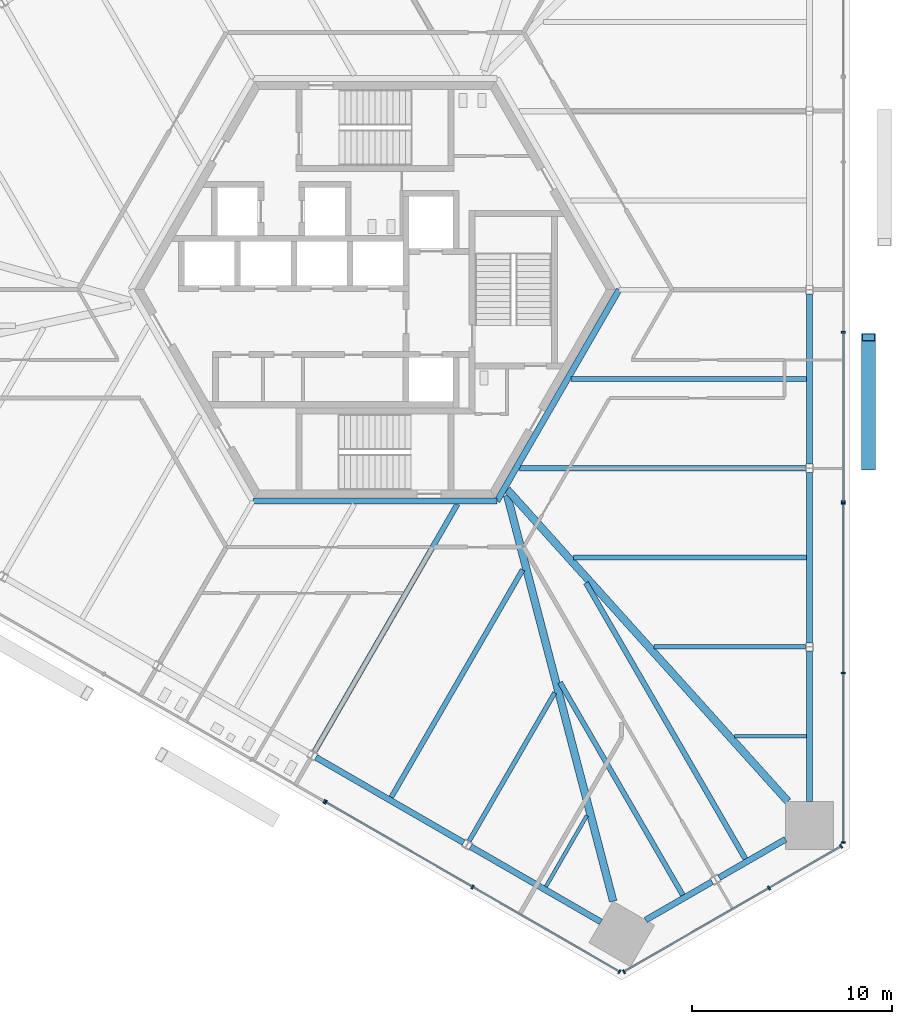
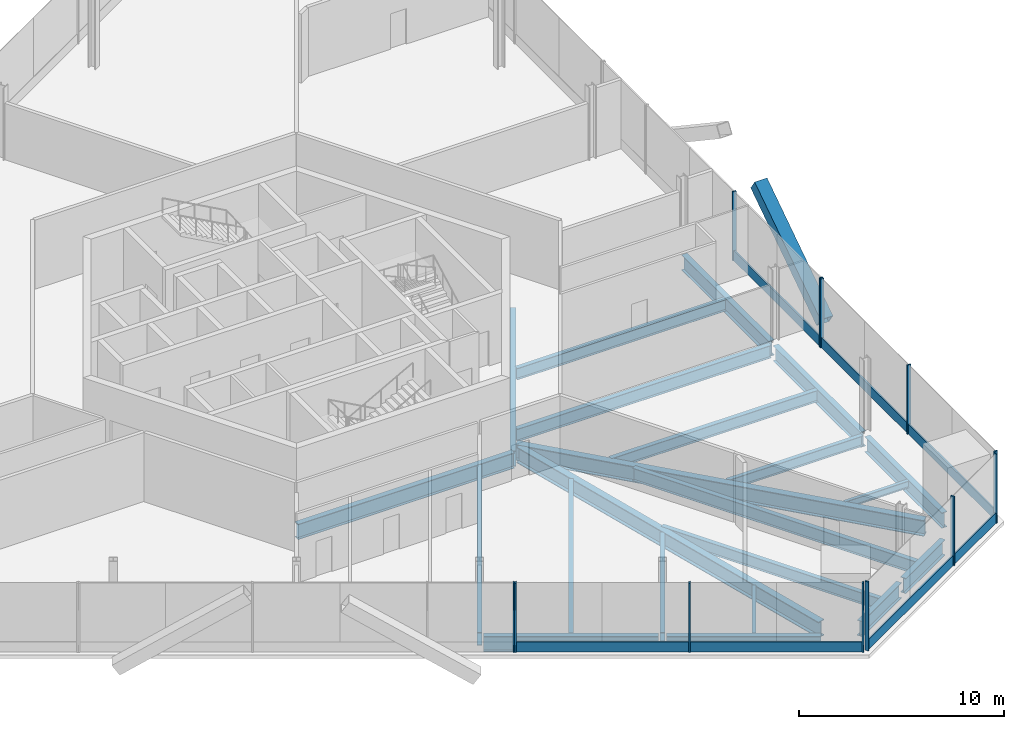
# One storey, part 4 of 15: 22 beams, 20 members, 5 elements without a shape of their own.
"""IFC4 building model written with IfcOpenShell, lengths in metres."""

import ifcopenshell
import ifcopenshell.guid

model = None  # the IFC model being written
_history = None  # IfcOwnerHistory: only IFC2X3 demands one
_inside = {}  # id of a spatial element -> (the spatial element, [elements in it])
_under = {}  # id of a project, library or spatial element -> (it, [spatial elements below it])
_declared = {}  # id of a project -> (the project, [libraries it declares])
_typed = {}  # id of a type object -> (the type object, [elements of that type])
_made_of = {}  # id of a material, layer set ... -> (it, [elements and type objects made of it])


def new_model(schema):
    """Start an empty IFC model of exactly this schema.

    Asked for "IFC4X3", IfcOpenShell would pick the latest addendum, in which some entities
    have other attributes; the version numbers below select the first issue.
    IFC2X3 requires an IfcOwnerHistory on every rooted entity: one is made here for all.
    """
    global model, _history
    if schema == "IFC4X3":
        model = ifcopenshell.file(schema_version=(4, 3, 0, 0))
    else:
        model = ifcopenshell.file(schema=schema)
    _inside.clear()
    _under.clear()
    _declared.clear()
    _typed.clear()
    _made_of.clear()
    _history = None
    if model.schema == "IFC2X3":
        org = make("IfcOrganization", Name="unknown")
        user = make(
            "IfcPersonAndOrganization",
            ThePerson=make("IfcPerson", FamilyName="unknown"),
            TheOrganization=org,
        )
        app = make(
            "IfcApplication",
            ApplicationDeveloper=org,
            Version="unknown",
            ApplicationFullName="unknown",
            ApplicationIdentifier="unknown",
        )
        _history = make(
            "IfcOwnerHistory",
            OwningUser=user,
            OwningApplication=app,
            ChangeAction="ADDED",
            CreationDate=0,
        )
    return model


def make(cls, **values):
    """One entity of the class cls with the attributes given. An attribute that is None is left unset."""
    return model.create_entity(
        cls, **{name: value for name, value in values.items() if value is not None}
    )


def rooted(cls, **values):
    """An entity with a GlobalId (a new one), such as an element, a storey or a relation."""
    return make(cls, GlobalId=ifcopenshell.guid.new(), OwnerHistory=_history, **values)


def si_unit(unit_type, name, prefix=None):
    """IfcSIUnit, for example si_unit("LENGTHUNIT", "METRE", prefix="MILLI")."""
    return make("IfcSIUnit", UnitType=unit_type, Prefix=prefix, Name=name)


def assignment(units):
    """IfcUnitAssignment: the units of a project."""
    return None if units is None else make("IfcUnitAssignment", Units=units)


def point(xyz):
    """IfcCartesianPoint."""
    return None if xyz is None else make("IfcCartesianPoint", Coordinates=xyz)


def direction(xyz):
    """IfcDirection."""
    return None if xyz is None else make("IfcDirection", DirectionRatios=xyz)


def frame(location, z_axis=None, x_axis=None):
    """IfcAxis2Placement3D, a coordinate frame: its origin and axes. An axis left out is left unset."""
    return make(
        "IfcAxis2Placement3D",
        Location=point(location),
        Axis=direction(z_axis),
        RefDirection=direction(x_axis),
    )


def frame_2d(location, x_axis=None):
    """IfcAxis2Placement2D, a coordinate frame in the plane: its origin and x axis."""
    return make(
        "IfcAxis2Placement2D", Location=point(location), RefDirection=direction(x_axis)
    )


def origin():
    """The frame at (0, 0, 0) with its axes left unset."""
    return frame((0.0, 0.0, 0.0))


def origin_2d():
    """The frame at (0, 0) in the plane with its x axis left unset."""
    return frame_2d((0.0, 0.0))


def place(relative_to, where):
    """IfcLocalPlacement: puts the frame where relative to a parent placement (None: the world)."""
    return make(
        "IfcLocalPlacement", PlacementRelTo=relative_to, RelativePlacement=where
    )


def context(
    kind, dimensions, precision=None, world=None, true_north=None, identifier=None
):
    """IfcGeometricRepresentationContext, for example the 3D "Model" context."""
    return make(
        "IfcGeometricRepresentationContext",
        ContextIdentifier=identifier,
        ContextType=kind,
        CoordinateSpaceDimension=dimensions,
        Precision=precision,
        WorldCoordinateSystem=world,
        TrueNorth=true_north,
    )


def subcontext(parent, identifier, kind, view, scale=None):
    """IfcGeometricRepresentationSubContext, for example "Body" below "Model"."""
    return make(
        "IfcGeometricRepresentationSubContext",
        ContextIdentifier=identifier,
        ContextType=kind,
        ParentContext=parent,
        TargetScale=scale,
        TargetView=view,
    )


def project(units=None, contexts=None):
    """IfcProject with its units and contexts."""
    return rooted(
        "IfcProject",
        Name="project",
        RepresentationContexts=contexts,
        UnitsInContext=assignment(units),
    )


def spatial(cls, under=None, at=None, **own):
    """A site, building, storey or space (cls), placed at a placement, below another one or the project."""
    s = rooted(cls, ObjectPlacement=at, **own)
    if under is not None:
        _under.setdefault(under.id(), (under, []))[1].append(s)
    return s


def profile(cls, at=None, kind="AREA", **sizes):
    """A parametric profile (cls). Its sizes go by their IFC names, for example OverallWidth=200.0."""
    return make(cls, ProfileType=kind, Position=at, **sizes)


def rectangle(**sizes):
    """IfcRectangleProfileDef."""
    return profile("IfcRectangleProfileDef", **sizes)


def hollow_rectangle(**sizes):
    """IfcRectangleHollowProfileDef."""
    return profile("IfcRectangleHollowProfileDef", **sizes)


def i_section(**sizes):
    """IfcIShapeProfileDef."""
    return profile("IfcIShapeProfileDef", **sizes)


def extrude(swept, where, along, depth):
    """IfcExtrudedAreaSolid: the profile swept, set in the frame where, extruded along a direction by depth."""
    return make(
        "IfcExtrudedAreaSolid",
        SweptArea=swept,
        Position=where,
        ExtrudedDirection=direction(along),
        Depth=depth,
    )


def shape(context_of_items, identifier, shape_type, items):
    """IfcShapeRepresentation: the items that make up one representation, for example the "Body"."""
    return make(
        "IfcShapeRepresentation",
        ContextOfItems=context_of_items,
        RepresentationIdentifier=identifier,
        RepresentationType=shape_type,
        Items=items,
    )


def source(mapping_origin, context_of_items, identifier, shape_type, items):
    """IfcRepresentationMap: a shape defined once, which mapped items show again and again."""
    return make(
        "IfcRepresentationMap",
        MappingOrigin=mapping_origin,
        MappedRepresentation=shape(context_of_items, identifier, shape_type, items),
    )


def transform(
    local_origin,
    x_axis=None,
    y_axis=None,
    z_axis=None,
    scale=None,
    scale2=None,
    scale3=None,
    uniform=True,
):
    """IfcCartesianTransformationOperator3D, or its non-uniform kind. x_axis, y_axis, z_axis: its Axis1, 2, 3."""
    if uniform:
        return make(
            "IfcCartesianTransformationOperator3D",
            Axis1=direction(x_axis),
            Axis2=direction(y_axis),
            LocalOrigin=point(local_origin),
            Scale=scale,
            Axis3=direction(z_axis),
        )
    return make(
        "IfcCartesianTransformationOperator3DnonUniform",
        Axis1=direction(x_axis),
        Axis2=direction(y_axis),
        LocalOrigin=point(local_origin),
        Scale=scale,
        Axis3=direction(z_axis),
        Scale2=scale2,
        Scale3=scale3,
    )


def mapped(mapping_source, mapping_target):
    """IfcMappedItem: shows the shape of a source again, moved by a transform."""
    return make(
        "IfcMappedItem", MappingSource=mapping_source, MappingTarget=mapping_target
    )


def material(Name=None, Category=None):
    """IfcMaterial."""
    return make("IfcMaterial", Name=Name, Category=Category)


def material_profile(
    of_material, cross_section, Name=None, Category=None, Priority=None
):
    """IfcMaterialProfile: a cross section and its material."""
    return make(
        "IfcMaterialProfile",
        Name=Name,
        Material=of_material,
        Profile=cross_section,
        Priority=Priority,
        Category=Category,
    )


def profile_set(profiles, Name=None, composite=None):
    """IfcMaterialProfileSet."""
    return make(
        "IfcMaterialProfileSet",
        Name=Name,
        MaterialProfiles=profiles,
        CompositeProfile=composite,
    )


def made_of(thing, what):
    """Note that an element or type object is made of a material, layer set ...; save() writes the relation."""
    if what is not None:
        _made_of.setdefault(what.id(), (what, []))[1].append(thing)
    return thing


def type_object(cls, material=None, **own):
    """A type object (cls), such as IfcWallType, which elements share."""
    return made_of(rooted(cls, **own), material)


def element(
    cls,
    number,
    at=None,
    inside=None,
    cuts=None,
    type_object=None,
    material=None,
    context=None,
    identifier="Body",
    shape_type=None,
    held_by="IfcProductDefinitionShape",
    body=None,
    shapes=None,
    **own,
):
    """One element of the class cls, such as IfcWall. Its Tag is "e" and its number.

    at: its placement. inside: the storey or other place that contains it. cuts: it is an
    opening in that element (IfcRelVoidsElement). A single representation is given by context,
    identifier, shape_type and body (its items); several are given by shapes. held_by: the class
    of the entity that holds the representations. save() writes the other relations.
    """
    e = rooted(cls, Tag="e%d" % number, ObjectPlacement=at, **own)
    if body is not None:
        shapes = [shape(context, identifier, shape_type, body)]
    if shapes is not None:
        e.Representation = make(held_by, Representations=shapes)
    if inside is not None:
        _inside.setdefault(inside.id(), (inside, []))[1].append(e)
    if cuts is not None:
        rooted(
            "IfcRelVoidsElement", RelatingBuildingElement=cuts, RelatedOpeningElement=e
        )
    if type_object is not None:
        _typed.setdefault(type_object.id(), (type_object, []))[1].append(e)
    return made_of(e, material)


def aggregate(whole, parts):
    """IfcRelAggregates: a whole, such as a stair, and the parts it consists of."""
    return rooted("IfcRelAggregates", RelatingObject=whole, RelatedObjects=parts)


def save(model, path):
    """Write the relations noted so far, then the file.

    IfcRelAggregates (storeys below a building ...), IfcRelContainedInSpatialStructure (elements
    in a storey), IfcRelDefinesByType, IfcRelAssociatesMaterial and IfcRelDeclares: one each for
    every whole, place, type object, material and project.
    """
    for whole, parts in _under.values():
        aggregate(whole, parts)
    for where, things in _inside.values():
        rooted(
            "IfcRelContainedInSpatialStructure",
            RelatedElements=things,
            RelatingStructure=where,
        )
    for kind, things in _typed.values():
        rooted("IfcRelDefinesByType", RelatedObjects=things, RelatingType=kind)
    for what, things in _made_of.values():
        rooted("IfcRelAssociatesMaterial", RelatedObjects=things, RelatingMaterial=what)
    for by, libraries in _declared.values():
        rooted("IfcRelDeclares", RelatingContext=by, RelatedDefinitions=libraries)
    model.write(path)


model = new_model("IFC4")

# Units and contexts
model_context = context("Model", 3, precision=1e-05, world=origin(), true_north=direction((0.0, 1.0)))
body_context = subcontext(model_context, "Body", "Model", "MODEL_VIEW")
ifc_project = project(units=[si_unit("LENGTHUNIT", "METRE"), si_unit("AREAUNIT", "SQUARE_METRE"), si_unit("VOLUMEUNIT", "CUBIC_METRE"), si_unit("PLANEANGLEUNIT", "RADIAN"), si_unit("MASSUNIT", "GRAM", prefix="KILO")], contexts=[model_context])

# Site, building, storey
site_placement = place(None, origin())
site = spatial("IfcSite", under=ifc_project, at=site_placement, CompositionType="ELEMENT")
building_placement = place(site_placement, origin())
building = spatial("IfcBuilding", under=site, at=building_placement, Name="Triune Harvest Tower", CompositionType="ELEMENT")
storey_placement = place(building_placement, frame((0.0, 0.0, 28.89990234375)))
storey = spatial("IfcBuildingStorey", under=building, at=storey_placement, Name="L06", CompositionType="ELEMENT", Elevation=28.89990234375)

# Beams
ifc_material_1 = material(Name="Steel ASTM A992 Gr 50", Category="steel")
ifc_material_profile_1 = material_profile(ifc_material_1, i_section(OverallWidth=0.3046875, OverallDepth=0.914306640625, WebThickness=0.0166015625, FlangeThickness=0.02587890625, at=origin_2d()), Name="W36x160")
ifc_profile_set_1 = profile_set([ifc_material_profile_1], Name="Steel ASTM A992 Gr 50")
beam_type_1 = type_object("IfcBeamType", Name="CG-1 Core ring girder W36x160", PredefinedType="BEAM", material=ifc_profile_set_1)
shared_shape_1 = source(origin(), body_context, "Body", "SweptSolid", [
    extrude(i_section(OverallWidth=0.3046875, OverallDepth=0.914306640625, WebThickness=0.0166015625, FlangeThickness=0.02587890625, at=origin_2d()), origin(), (0.0, 0.0, 1.0), 12.176025390625),
])
beam_1_placement = place(storey_placement, frame((6.087890625, -10.544677734375, -0.656982421875), z_axis=(0.5000099932, 0.866019634131, 0.0), x_axis=(-0.866019634131, 0.5000099932, 0.0)))
element("IfcBeam", 1, at=beam_1_placement, inside=storey, type_object=beam_type_1, Name="beam/L06/CG6", PredefinedType="BEAM", context=body_context, shape_type="MappedRepresentation", body=[
    mapped(shared_shape_1, transform((0.0, 0.0, 0.0), scale=1.0)),
])
shared_shape_2 = source(origin(), body_context, "Body", "SweptSolid", [
    extrude(i_section(OverallWidth=0.3046875, OverallDepth=0.914306640625, WebThickness=0.0166015625, FlangeThickness=0.02587890625, at=origin_2d()), origin(), (0.0, 0.0, 1.0), 12.17578125),
])
beam_2_placement = place(storey_placement, frame((-6.087890625, -10.544677734375, -0.656982421875), z_axis=(1.0, 0.0, 0.0), x_axis=(0.0, 1.0, 0.0)))
element("IfcBeam", 2, at=beam_2_placement, inside=storey, type_object=beam_type_1, Name="beam/L06/CG5", PredefinedType="BEAM", context=body_context, shape_type="MappedRepresentation", body=[
    mapped(shared_shape_2, transform((0.0, 0.0, 0.0), scale=1.0)),
])
ifc_material_2 = material(Name="Steel ASTM A992 Gr 50", Category="steel")
ifc_material_profile_2 = material_profile(ifc_material_2, i_section(OverallWidth=0.383544921875, OverallDepth=0.9423828125, WebThickness=0.022216796875, FlangeThickness=0.039794921875, at=origin_2d()), Name="W36x232")
ifc_profile_set_2 = profile_set([ifc_material_profile_2], Name="Steel ASTM A992 Gr 50")
beam_type_2 = type_object("IfcBeamType", Name="HG-1 Hip girder W36x232", PredefinedType="BEAM", material=ifc_profile_set_2)
shared_shape_3 = source(origin(), body_context, "Body", "SweptSolid", [
    extrude(i_section(OverallWidth=0.383544921875, OverallDepth=0.9423828125, WebThickness=0.022216796875, FlangeThickness=0.039794921875, at=origin_2d()), origin(), (0.0, 0.0, 1.0), 20.933349609375),
])
beam_3_placement = place(storey_placement, frame((20.599365234375, -25.530029296875, -0.671142578125), z_axis=(-0.668990505388, 0.743270949049, 0.0), x_axis=(-0.743270949049, -0.668990505388, 0.0)))
element("IfcBeam", 3, at=beam_3_placement, inside=storey, type_object=beam_type_2, Name="beam/L06/HG1", PredefinedType="BEAM", context=body_context, shape_type="MappedRepresentation", body=[
    mapped(shared_shape_3, transform((0.0, 0.0, 0.0), scale=1.0)),
])
shared_shape_4 = source(origin(), body_context, "Body", "SweptSolid", [
    extrude(i_section(OverallWidth=0.383544921875, OverallDepth=0.9423828125, WebThickness=0.022216796875, FlangeThickness=0.039794921875, at=origin_2d()), origin(), (0.0, 0.0, 1.0), 20.931884765625),
])
beam_4_placement = place(storey_placement, frame((11.8828125, -30.50830078125, -0.671142578125), z_axis=(-0.252690148393, 0.967547254094, 0.0), x_axis=(-0.967547254094, -0.252690148393, 0.0)))
element("IfcBeam", 4, at=beam_4_placement, inside=storey, type_object=beam_type_2, Name="beam/L06/HG6", PredefinedType="BEAM", context=body_context, shape_type="MappedRepresentation", body=[
    mapped(shared_shape_4, transform((0.0, 0.0, 0.0), scale=1.0)),
])
ifc_material_3 = material(Name="Steel ASTM A992 Gr 50", Category="steel")
ifc_material_profile_3 = material_profile(ifc_material_3, i_section(OverallWidth=0.22900390625, OverallDepth=0.612060546875, WebThickness=0.011962890625, FlangeThickness=0.01953125, at=origin_2d()), Name="W24x84")
ifc_profile_set_3 = profile_set([ifc_material_profile_3], Name="Steel ASTM A992 Gr 50")
beam_type_3 = type_object("IfcBeamType", Name="JT-3 Floor joist W24x84", PredefinedType="JOIST", material=ifc_profile_set_3)
shared_shape_5 = source(origin(), body_context, "Body", "SweptSolid", [
    extrude(i_section(OverallWidth=0.22900390625, OverallDepth=0.612060546875, WebThickness=0.011962890625, FlangeThickness=0.01953125, at=origin_2d()), origin(), (0.0, 0.0, 1.0), 7.558349609375),
])
beam_5_placement = place(storey_placement, frame((21.476318359375, -17.820068359375, -0.506103515625), z_axis=(-1.0, 0.0, 0.0), x_axis=(0.0, -1.0, 0.0)))
element("IfcBeam", 5, at=beam_5_placement, inside=storey, type_object=beam_type_3, Name="beam/L06/JT2", PredefinedType="JOIST", context=body_context, shape_type="MappedRepresentation", body=[
    mapped(shared_shape_5, transform((0.0, 0.0, 0.0), scale=1.0)),
])
ifc_material_4 = material(Name="Steel ASTM A992 Gr 50", Category="steel")
ifc_material_profile_4 = material_profile(ifc_material_4, i_section(OverallWidth=0.2666015625, OverallDepth=0.7568359375, WebThickness=0.013916015625, FlangeThickness=0.019287109375, at=origin_2d()), Name="W30x108")
ifc_profile_set_4 = profile_set([ifc_material_profile_4], Name="Steel ASTM A992 Gr 50")
beam_type_4 = type_object("IfcBeamType", Name="JT-5 Floor joist W30x108", PredefinedType="JOIST", material=ifc_profile_set_4)
shared_shape_6 = source(origin(), body_context, "Body", "SweptSolid", [
    extrude(i_section(OverallWidth=0.2666015625, OverallDepth=0.7568359375, WebThickness=0.013916015625, FlangeThickness=0.019287109375, at=origin_2d()), origin(), (0.0, 0.0, 1.0), 14.2685546875),
])
for number, where, z_axis, x_axis, name in (
    (6, (21.476318359375, -8.909912109375, -0.578369140625), (-1.0, 0.0, 0.0), (0.0, -1.0, 0.0), "beam/L06/JT4"),
    (7, (-3.02197265625, -23.053955078125, -0.578369140625), (0.499999916269, 0.866025452127, 0.0), (-0.866025452127, 0.499999916269, 0.0), "beam/L06/JT34"),
):
    element("IfcBeam", number, at=place(storey_placement, frame(where, z_axis=z_axis, x_axis=x_axis)), inside=storey, type_object=beam_type_4, Name=name, PredefinedType="JOIST", context=body_context, shape_type="MappedRepresentation", body=[
        mapped(shared_shape_6, transform((0.0, 0.0, 0.0), scale=1.0)),
    ])
shared_shape_7 = source(origin(), body_context, "Body", "SweptSolid", [
    extrude(i_section(OverallWidth=0.22900390625, OverallDepth=0.612060546875, WebThickness=0.011962890625, FlangeThickness=0.01953125, at=origin_2d()), origin(), (0.0, 0.0, 1.0), 8.54736328125),
])
beam_6_placement = place(storey_placement, frame((4.6943359375, -27.509033203125, -0.506103515625), z_axis=(0.499994426748, 0.866028621479, 0.0), x_axis=(-0.866028621479, 0.499994426748, 0.0)))
element("IfcBeam", 8, at=beam_6_placement, inside=storey, type_object=beam_type_3, Name="beam/L06/JT36", PredefinedType="JOIST", context=body_context, shape_type="MappedRepresentation", body=[
    mapped(shared_shape_7, transform((0.0, 0.0, 0.0), scale=1.0)),
])
ifc_material_5 = material(Name="Steel ASTM A992 Gr 50", Category="steel")
ifc_material_profile_5 = material_profile(ifc_material_5, i_section(OverallWidth=0.3046875, OverallDepth=0.914306640625, WebThickness=0.0166015625, FlangeThickness=0.02587890625, at=origin_2d()), Name="W36x160")
ifc_profile_set_5 = profile_set([ifc_material_profile_5], Name="Steel ASTM A992 Gr 50")
beam_type_5 = type_object("IfcBeamType", Name="SB-1 Spandrel beam W36x160", PredefinedType="SPANDREL", material=ifc_profile_set_5)
shared_shape_8 = source(origin(), body_context, "Body", "SweptSolid", [
    extrude(i_section(OverallWidth=0.3046875, OverallDepth=0.914306640625, WebThickness=0.0166015625, FlangeThickness=0.02587890625, at=origin_2d()), origin(), (0.0, 0.0, 1.0), 7.508056640625),
])
beam_7_placement = place(storey_placement, frame((21.679443359375, -25.530029296875, -0.656982421875), z_axis=(0.0, 1.0, 0.0), x_axis=(-1.0, 0.0, 0.0)))
element("IfcBeam", 9, at=beam_7_placement, inside=storey, type_object=beam_type_5, Name="beam/L06/SB1", PredefinedType="SPANDREL", context=body_context, shape_type="MappedRepresentation", body=[
    mapped(shared_shape_8, transform((0.0, 0.0, 0.0), scale=1.0)),
])
shared_shape_9 = source(origin(), body_context, "Body", "SweptSolid", [
    extrude(i_section(OverallWidth=0.3046875, OverallDepth=0.914306640625, WebThickness=0.0166015625, FlangeThickness=0.02587890625, at=origin_2d()), origin(), (0.0, 0.0, 1.0), 8.50634765625),
])
beam_8_placement = place(storey_placement, frame((21.679443359375, -17.6181640625, -0.656982421875), z_axis=(0.0, 1.0, 0.0), x_axis=(-1.0, 0.0, 0.0)))
element("IfcBeam", 10, at=beam_8_placement, inside=storey, type_object=beam_type_5, Name="beam/L06/SB2", PredefinedType="SPANDREL", context=body_context, shape_type="MappedRepresentation", body=[
    mapped(shared_shape_9, transform((0.0, 0.0, 0.0), scale=1.0)),
])
shared_shape_10 = source(origin(), body_context, "Body", "SweptSolid", [
    extrude(i_section(OverallWidth=0.3046875, OverallDepth=0.914306640625, WebThickness=0.0166015625, FlangeThickness=0.02587890625, at=origin_2d()), origin(), (0.0, 0.0, 1.0), 8.506103515625),
])
for number, where, z_axis, x_axis, name in (
    (11, (21.679443359375, -8.7080078125, -0.656982421875), (0.0, 1.0, 0.0), (-1.0, 0.0, 0.0), "beam/L06/SB3"),
    (12, (-2.948486328125, -23.3310546875, -0.656982421875), (0.866030246746, -0.49999161165, 0.0), (0.49999161165, 0.866030246746, 0.0), "beam/L06/SB21"),
):
    element("IfcBeam", number, at=place(storey_placement, frame(where, z_axis=z_axis, x_axis=x_axis)), inside=storey, type_object=beam_type_5, Name=name, PredefinedType="SPANDREL", context=body_context, shape_type="MappedRepresentation", body=[
        mapped(shared_shape_10, transform((0.0, 0.0, 0.0), scale=1.0)),
    ])
shared_shape_11 = source(origin(), body_context, "Body", "SweptSolid", [
    extrude(i_section(OverallWidth=0.3046875, OverallDepth=0.914306640625, WebThickness=0.0166015625, FlangeThickness=0.02587890625, at=origin_2d()), origin(), (0.0, 0.0, 1.0), 3.822265625),
])
beam_9_placement = place(storey_placement, frame((17.169189453125, -29.333984375, -0.656982421875), z_axis=(0.866033487859, 0.499985997711, 0.0), x_axis=(-0.499985997711, 0.866033487859, 0.0)))
element("IfcBeam", 13, at=beam_9_placement, inside=storey, type_object=beam_type_5, Name="beam/L06/SB24", PredefinedType="SPANDREL", context=body_context, shape_type="MappedRepresentation", body=[
    mapped(shared_shape_11, transform((0.0, 0.0, 0.0), scale=1.0)),
])
shared_shape_12 = source(origin(), body_context, "Body", "SweptSolid", [
    extrude(i_section(OverallWidth=0.3046875, OverallDepth=0.914306640625, WebThickness=0.0166015625, FlangeThickness=0.02587890625, at=origin_2d()), origin(), (0.0, 0.0, 1.0), 3.822509765625),
])
beam_10_placement = place(storey_placement, frame((13.509033203125, -31.447265625, -0.656982421875), z_axis=(0.866005830769, 0.500033899925, 0.0), x_axis=(-0.500033899925, 0.866005830769, 0.0)))
element("IfcBeam", 14, at=beam_10_placement, inside=storey, type_object=beam_type_5, Name="beam/L06/SB23", PredefinedType="SPANDREL", context=body_context, shape_type="MappedRepresentation", body=[
    mapped(shared_shape_12, transform((0.0, 0.0, 0.0), scale=1.0)),
])
shared_shape_13 = source(origin(), body_context, "Body", "SweptSolid", [
    extrude(i_section(OverallWidth=0.3046875, OverallDepth=0.914306640625, WebThickness=0.0166015625, FlangeThickness=0.02587890625, at=origin_2d()), origin(), (0.0, 0.0, 1.0), 7.50830078125),
])
beam_11_placement = place(storey_placement, frame((4.767578125, -27.785888671875, -0.656982421875), z_axis=(0.866027474485, -0.499996413425, 0.0), x_axis=(0.499996413425, 0.866027474485, 0.0)))
element("IfcBeam", 15, at=beam_11_placement, inside=storey, type_object=beam_type_5, Name="beam/L06/SB22", PredefinedType="SPANDREL", context=body_context, shape_type="MappedRepresentation", body=[
    mapped(shared_shape_13, transform((0.0, 0.0, 0.0), scale=1.0)),
])
ifc_material_6 = material(Name="Steel ASTM A992 Gr 50", Category="steel")
ifc_material_profile_6 = material_profile(ifc_material_6, i_section(OverallWidth=0.180908203125, OverallDepth=0.41650390625, WebThickness=0.010986328125, FlangeThickness=0.01806640625, at=origin_2d()), Name="W16x57")
ifc_profile_set_6 = profile_set([ifc_material_profile_6], Name="Steel ASTM A992 Gr 50")
beam_type_6 = type_object("IfcBeamType", Name="JT-1 Floor joist W16x57", PredefinedType="JOIST", material=ifc_profile_set_6)
shared_shape_14 = source(origin(), body_context, "Body", "SweptSolid", [
    extrude(i_section(OverallWidth=0.180908203125, OverallDepth=0.41650390625, WebThickness=0.010986328125, FlangeThickness=0.01806640625, at=origin_2d()), origin(), (0.0, 0.0, 1.0), 3.599365234375),
])
beam_12_placement = place(storey_placement, frame((21.527099609375, -22.27490234375, -0.408203125), z_axis=(-1.0, 0.0, 0.0), x_axis=(0.0, -1.0, 0.0)))
element("IfcBeam", 16, at=beam_12_placement, inside=storey, type_object=beam_type_6, Name="beam/L06/JT1", PredefinedType="JOIST", context=body_context, shape_type="MappedRepresentation", body=[
    mapped(shared_shape_14, transform((0.0, 0.0, 0.0), scale=1.0)),
])
ifc_material_7 = material(Name="Steel ASTM A992 Gr 50", Category="steel")
ifc_material_profile_7 = material_profile(ifc_material_7, i_section(OverallWidth=0.253662109375, OverallDepth=0.683349609375, WebThickness=0.012451171875, FlangeThickness=0.01904296875, at=origin_2d()), Name="W27x94")
ifc_profile_set_7 = profile_set([ifc_material_profile_7], Name="Steel ASTM A992 Gr 50")
beam_type_7 = type_object("IfcBeamType", Name="JT-4 Floor joist W27x94", PredefinedType="JOIST", material=ifc_profile_set_7)
shared_shape_15 = source(origin(), body_context, "Body", "SweptSolid", [
    extrude(i_section(OverallWidth=0.253662109375, OverallDepth=0.683349609375, WebThickness=0.012451171875, FlangeThickness=0.01904296875, at=origin_2d()), origin(), (0.0, 0.0, 1.0), 11.619140625),
])
beam_13_placement = place(storey_placement, frame((21.527099609375, -13.364990234375, -0.54150390625), z_axis=(-1.0, 0.0, 0.0), x_axis=(0.0, -1.0, 0.0)))
element("IfcBeam", 17, at=beam_13_placement, inside=storey, type_object=beam_type_7, Name="beam/L06/JT3", PredefinedType="JOIST", context=body_context, shape_type="MappedRepresentation", body=[
    mapped(shared_shape_15, transform((0.0, 0.0, 0.0), scale=1.0)),
])
shared_shape_16 = source(origin(), body_context, "Body", "SweptSolid", [
    extrude(i_section(OverallWidth=0.253662109375, OverallDepth=0.683349609375, WebThickness=0.012451171875, FlangeThickness=0.01904296875, at=origin_2d()), origin(), (0.0, 0.0, 1.0), 11.747314453125),
])
beam_14_placement = place(storey_placement, frame((21.527099609375, -4.455078125, -0.54150390625), z_axis=(-1.0, 0.0, 0.0), x_axis=(0.0, -1.0, 0.0)))
element("IfcBeam", 18, at=beam_14_placement, inside=storey, type_object=beam_type_7, Name="beam/L06/JT5", PredefinedType="JOIST", context=body_context, shape_type="MappedRepresentation", body=[
    mapped(shared_shape_16, transform((0.0, 0.0, 0.0), scale=1.0)),
])
shared_shape_17 = source(origin(), body_context, "Body", "SweptSolid", [
    extrude(i_section(OverallWidth=0.253662109375, OverallDepth=0.683349609375, WebThickness=0.012451171875, FlangeThickness=0.01904296875, at=origin_2d()), origin(), (0.0, 0.0, 1.0), 13.110107421875),
])
beam_15_placement = place(storey_placement, frame((0.810791015625, -25.325439453125, -0.54150390625), z_axis=(0.500012613137, 0.866018121464, 0.0), x_axis=(-0.866018121464, 0.500012613137, 0.0)))
element("IfcBeam", 19, at=beam_15_placement, inside=storey, type_object=beam_type_7, Name="beam/L06/JT35", PredefinedType="JOIST", context=body_context, shape_type="MappedRepresentation", body=[
    mapped(shared_shape_17, transform((0.0, 0.0, 0.0), scale=1.0)),
])
shared_shape_18 = source(origin(), body_context, "Body", "SweptSolid", [
    extrude(i_section(OverallWidth=0.180908203125, OverallDepth=0.41650390625, WebThickness=0.010986328125, FlangeThickness=0.01806640625, at=origin_2d()), origin(), (0.0, 0.0, 1.0), 4.08642578125),
])
beam_16_placement = place(storey_placement, frame((8.527099609375, -29.780517578125, -0.408203125), z_axis=(0.500013794443, 0.866017439413, 0.0), x_axis=(-0.866017439413, 0.500013794443, 0.0)))
element("IfcBeam", 20, at=beam_16_placement, inside=storey, type_object=beam_type_6, Name="beam/L06/JT37", PredefinedType="JOIST", context=body_context, shape_type="MappedRepresentation", body=[
    mapped(shared_shape_18, transform((0.0, 0.0, 0.0), scale=1.0)),
])
shared_shape_19 = source(origin(), body_context, "Body", "SweptSolid", [
    extrude(i_section(OverallWidth=0.253662109375, OverallDepth=0.683349609375, WebThickness=0.012451171875, FlangeThickness=0.01904296875, at=origin_2d()), origin(), (0.0, 0.0, 1.0), 12.2509765625),
])
beam_17_placement = place(storey_placement, frame((15.3564453125, -30.20458984375, -0.54150390625), z_axis=(-0.500001335473, 0.866024632748, 0.0), x_axis=(-0.866024632748, -0.500001335473, 0.0)))
element("IfcBeam", 21, at=beam_17_placement, inside=storey, type_object=beam_type_7, Name="beam/L06/JT38", PredefinedType="JOIST", context=body_context, shape_type="MappedRepresentation", body=[
    mapped(shared_shape_19, transform((0.0, 0.0, 0.0), scale=1.0)),
])
shared_shape_20 = source(origin(), body_context, "Body", "SweptSolid", [
    extrude(i_section(OverallWidth=0.2666015625, OverallDepth=0.7568359375, WebThickness=0.013916015625, FlangeThickness=0.019287109375, at=origin_2d()), origin(), (0.0, 0.0, 1.0), 15.90771484375),
])
beam_18_placement = place(storey_placement, frame((18.479736328125, -28.4013671875, -0.578369140625), z_axis=(-0.499996565981, 0.866027386407, 0.0), x_axis=(-0.866027386407, -0.499996565981, 0.0)))
element("IfcBeam", 22, at=beam_18_placement, inside=storey, type_object=beam_type_4, Name="beam/L06/JT39", PredefinedType="JOIST", context=body_context, shape_type="MappedRepresentation", body=[
    mapped(shared_shape_20, transform((0.0, 0.0, 0.0), scale=1.0)),
])

# Member
ifc_material_8 = material(Name="Steel ASTM A572 Gr 50", Category="steel")
ifc_material_profile_8 = material_profile(ifc_material_8, hollow_rectangle(XDim=0.699951171875, YDim=0.699951171875, WallThickness=0.0400390625, at=origin_2d()), Name="Box 700x700x40")
ifc_profile_set_8 = profile_set([ifc_material_profile_8], Name="Steel ASTM A572 Gr 50")
member_type_1 = type_object("IfcMemberType", Name="BR-1 Brace Box 700x700x40", PredefinedType="BRACE", material=ifc_profile_set_8)
shared_shape_21 = source(origin(), body_context, "Body", "SweptSolid", [
    extrude(hollow_rectangle(XDim=0.699951171875, YDim=0.699951171875, WallThickness=0.0400390625, at=origin_2d()), origin(), (0.0, 0.0, 1.0), 7.728515625),
])
member_1_placement = place(storey_placement, frame((24.621337890625, -8.793701171875, 0.0), z_axis=(0.0, 0.830925953807, 0.556383014918), x_axis=(-1.0, 0.0, 0.0)))
element("IfcMember", 23, at=member_1_placement, inside=storey, type_object=member_type_1, Name="brace/B1-F1/d1/4", PredefinedType="BRACE", context=body_context, shape_type="MappedRepresentation", body=[
    mapped(shared_shape_21, transform((0.0, 0.0, 0.0), scale=1.0)),
])

# Curtain wall, members
ifc_material_9 = material(Name="Aluminium bronze anodised", Category="aluminium")
curtain_wall_type_1 = type_object("IfcCurtainWallType", Name="CW-3 Farm floor curtain wall", PredefinedType="NOTDEFINED", material=ifc_material_9)
curtain_wall_1_placement = place(storey_placement, origin())
curtain_wall_1 = element("IfcCurtainWall", 24, at=curtain_wall_1_placement, inside=storey, type_object=curtain_wall_type_1, Name="CW-3 B1-F1 L06 run 1")
ifc_material_10 = material(Name="Aluminium bronze anodised", Category="aluminium")
ifc_material_profile_9 = material_profile(ifc_material_10, rectangle(XDim=0.199951171875, YDim=0.080078125, at=origin_2d()), Name="MU-3 mullion 80 x 200")
ifc_profile_set_9 = profile_set([ifc_material_profile_9], Name="Aluminium bronze anodised")
member_type_2 = type_object("IfcMemberType", Name="MU-3 mullion 80 x 200", PredefinedType="MULLION", material=ifc_profile_set_9)
shared_shape_22 = source(origin(), body_context, "Body", "SweptSolid", [
    extrude(rectangle(XDim=0.199951171875, YDim=0.080078125, at=origin_2d()), origin(), (0.0, 0.0, 1.0), 4.10009765625),
])
member_2_placement = place(storey_placement, frame((23.371337890625, -27.576904296875, 0.0), z_axis=(0.0, 0.0, 1.0), x_axis=(-1.0, 0.0, 0.0)))
member_2 = element("IfcMember", 25, at=member_2_placement, type_object=member_type_2, Name="CW-3 mullion B1-F1 1.1", PredefinedType="MULLION", context=body_context, shape_type="MappedRepresentation", body=[
    mapped(shared_shape_22, transform((0.0, 0.0, 0.0), scale=1.0)),
])
member_3_placement = place(storey_placement, frame((23.371337890625, -19.119384765625, 0.0), z_axis=(0.0, 0.0, 1.0), x_axis=(-1.0, 0.0, 0.0)))
member_3 = element("IfcMember", 26, at=member_3_placement, type_object=member_type_2, Name="CW-3 mullion B1-F1 1.3", PredefinedType="MULLION", context=body_context, shape_type="MappedRepresentation", body=[
    mapped(shared_shape_22, transform((0.0, 0.0, 0.0), scale=1.0)),
])
member_4_placement = place(storey_placement, frame((23.371337890625, -10.661865234375, 0.0), z_axis=(0.0, 0.0, 1.0), x_axis=(-1.0, 0.0, 0.0)))
member_4 = element("IfcMember", 27, at=member_4_placement, type_object=member_type_2, Name="CW-3 mullion B1-F1 1.5", PredefinedType="MULLION", context=body_context, shape_type="MappedRepresentation", body=[
    mapped(shared_shape_22, transform((0.0, 0.0, 0.0), scale=1.0)),
])

ifc_material_11 = material(Name="Aluminium bronze anodised", Category="aluminium")
curtain_wall_type_2 = type_object("IfcCurtainWallType", Name="CW-8 Farm floor curtain wall with insulated spandrel infill", PredefinedType="NOTDEFINED", material=ifc_material_11)
curtain_wall_2_placement = place(storey_placement, origin())
curtain_wall_2 = element("IfcCurtainWall", 28, at=curtain_wall_2_placement, inside=storey, type_object=curtain_wall_type_2, Name="CW-8 B1-F1 L06 run 1001")
member_5_placement = place(storey_placement, frame((23.371337890625, -10.581787109375, 0.0), z_axis=(0.0, 0.0, 1.0), x_axis=(-1.0, 0.0, 0.0)))
member_5 = element("IfcMember", 29, at=member_5_placement, type_object=member_type_2, Name="CW-8 mullion B1-F1 1001.1", PredefinedType="MULLION", context=body_context, shape_type="MappedRepresentation", body=[
    mapped(shared_shape_22, transform((0.0, 0.0, 0.0), scale=1.0)),
])
member_6_placement = place(storey_placement, frame((23.371337890625, -2.124267578125, 0.0), z_axis=(0.0, 0.0, 1.0), x_axis=(-1.0, 0.0, 0.0)))
member_6 = element("IfcMember", 30, at=member_6_placement, type_object=member_type_2, Name="CW-8 mullion B1-F1 1001.3", PredefinedType="MULLION", context=body_context, shape_type="MappedRepresentation", body=[
    mapped(shared_shape_22, transform((0.0, 0.0, 0.0), scale=1.0)),
])

# Curtain wall, member
curtain_wall_3_placement = place(storey_placement, origin())
curtain_wall_3 = element("IfcCurtainWall", 31, at=curtain_wall_3_placement, inside=storey, type_object=curtain_wall_type_2, Name="CW-8 B1-F5 L06 run 1001")
member_7_placement = place(storey_placement, frame((-2.521484375, -25.531005859375, 0.0), z_axis=(0.0, 0.0, 1.0), x_axis=(0.499997905997, 0.866026612754, 0.0)))
member_7 = element("IfcMember", 32, at=member_7_placement, type_object=member_type_2, Name="CW-8 mullion B1-F5 1001.6", PredefinedType="MULLION", context=body_context, shape_type="MappedRepresentation", body=[
    mapped(shared_shape_22, transform((0.0, 0.0, 0.0), scale=1.0)),
])
aggregate(curtain_wall_3, [member_7])

# Curtain wall, members
curtain_wall_4_placement = place(storey_placement, origin())
curtain_wall_4 = element("IfcCurtainWall", 33, at=curtain_wall_4_placement, inside=storey, type_object=curtain_wall_type_1, Name="CW-3 B1-F5 L06 run 2001")
member_8_placement = place(storey_placement, frame((-2.4521484375, -25.571044921875, 0.0), z_axis=(0.0, 0.0, 1.0), x_axis=(0.500001122288, 0.86602475583, 0.0)))
member_8 = element("IfcMember", 34, at=member_8_placement, type_object=member_type_2, Name="CW-3 mullion B1-F5 2001.1", PredefinedType="MULLION", context=body_context, shape_type="MappedRepresentation", body=[
    mapped(shared_shape_22, transform((0.0, 0.0, 0.0), scale=1.0)),
])
member_9_placement = place(storey_placement, frame((4.8720703125, -29.7998046875, 0.0), z_axis=(0.0, 0.0, 1.0), x_axis=(0.500001122288, 0.86602475583, 0.0)))
member_9 = element("IfcMember", 35, at=member_9_placement, type_object=member_type_2, Name="CW-3 mullion B1-F5 2001.3", PredefinedType="MULLION", context=body_context, shape_type="MappedRepresentation", body=[
    mapped(shared_shape_22, transform((0.0, 0.0, 0.0), scale=1.0)),
])
member_10_placement = place(storey_placement, frame((12.196533203125, -34.028564453125, 0.0), z_axis=(0.0, 0.0, 1.0), x_axis=(0.500001122288, 0.86602475583, 0.0)))
member_10 = element("IfcMember", 36, at=member_10_placement, type_object=member_type_2, Name="CW-3 mullion B1-F5 2001.5", PredefinedType="MULLION", context=body_context, shape_type="MappedRepresentation", body=[
    mapped(shared_shape_22, transform((0.0, 0.0, 0.0), scale=1.0)),
])

curtain_wall_5_placement = place(storey_placement, origin())
curtain_wall_5 = element("IfcCurtainWall", 37, at=curtain_wall_5_placement, inside=storey, type_object=curtain_wall_type_1, Name="CW-3 B1-F6 L06 run 1")
member_11_placement = place(storey_placement, frame((12.421630859375, -34.028564453125, 0.0), z_axis=(0.0, 0.0, 1.0), x_axis=(-0.499998715149, 0.866026145592, 0.0)))
member_11 = element("IfcMember", 38, at=member_11_placement, type_object=member_type_2, Name="CW-3 mullion B1-F6 1.1", PredefinedType="MULLION", context=body_context, shape_type="MappedRepresentation", body=[
    mapped(shared_shape_22, transform((0.0, 0.0, 0.0), scale=1.0)),
])
member_12_placement = place(storey_placement, frame((19.657958984375, -29.850830078125, 0.0), z_axis=(0.0, 0.0, 1.0), x_axis=(-0.499998715149, 0.866026145592, 0.0)))
member_12 = element("IfcMember", 39, at=member_12_placement, type_object=member_type_2, Name="CW-3 mullion B1-F6 1.3", PredefinedType="MULLION", context=body_context, shape_type="MappedRepresentation", body=[
    mapped(shared_shape_22, transform((0.0, 0.0, 0.0), scale=1.0)),
])
member_13_placement = place(storey_placement, frame((23.2587890625, -27.771728515625, 0.0), z_axis=(0.0, 0.0, 1.0), x_axis=(-0.499998715149, 0.866026145592, 0.0)))
member_13 = element("IfcMember", 40, at=member_13_placement, type_object=member_type_2, Name="CW-3 mullion B1-F6 1.4", PredefinedType="MULLION", context=body_context, shape_type="MappedRepresentation", body=[
    mapped(shared_shape_22, transform((0.0, 0.0, 0.0), scale=1.0)),
])
ifc_material_12 = material(Name="Aluminium bronze anodised", Category="aluminium")
ifc_material_profile_10 = material_profile(ifc_material_12, rectangle(XDim=0.090087890625, YDim=0.60009765625, at=origin_2d()), Name="TR-3 transom 90 x 600")
ifc_profile_set_10 = profile_set([ifc_material_profile_10], Name="Aluminium bronze anodised")
member_type_3 = type_object("IfcMemberType", Name="TR-3 transom 90 x 600", PredefinedType="USERDEFINED", material=ifc_profile_set_10)
shared_shape_23 = source(origin(), body_context, "Body", "SweptSolid", [
    extrude(rectangle(XDim=0.090087890625, YDim=0.60009765625, at=origin_2d()), origin(), (0.0, 0.0, 1.0), 4.077880859375),
])
member_14_placement = place(storey_placement, frame((19.692626953125, -29.830810546875, 0.300048828125), z_axis=(0.86600911372, 0.500028214158, 0.0), x_axis=(-0.500028214158, 0.86600911372, 0.0)))
member_14 = element("IfcMember", 41, at=member_14_placement, type_object=member_type_3, Name="CW-3 transom B1-F6 1.2", ObjectType="TRANSOM", PredefinedType="USERDEFINED", context=body_context, shape_type="MappedRepresentation", body=[
    mapped(shared_shape_23, transform((0.0, 0.0, 0.0), scale=1.0)),
])
shared_shape_24 = source(origin(), body_context, "Body", "SweptSolid", [
    extrude(rectangle(XDim=0.090087890625, YDim=0.60009765625, at=origin_2d()), origin(), (0.0, 0.0, 1.0), 8.275634765625),
])
member_15_placement = place(storey_placement, frame((12.456298828125, -34.008544921875, 0.300048828125), z_axis=(0.866034275465, 0.499984633485, 0.0), x_axis=(-0.499984633485, 0.866034275465, 0.0)))
member_15 = element("IfcMember", 42, at=member_15_placement, type_object=member_type_3, Name="CW-3 transom B1-F6 1.1", ObjectType="TRANSOM", PredefinedType="USERDEFINED", context=body_context, shape_type="MappedRepresentation", body=[
    mapped(shared_shape_24, transform((0.0, 0.0, 0.0), scale=1.0)),
])
aggregate(curtain_wall_5, [member_11, member_12, member_13, member_15, member_14])

# Member
shared_shape_25 = source(origin(), body_context, "Body", "SweptSolid", [
    extrude(rectangle(XDim=0.090087890625, YDim=0.60009765625, at=origin_2d()), origin(), (0.0, 0.0, 1.0), 8.37744140625),
])
member_16_placement = place(storey_placement, frame((23.371337890625, -19.079345703125, 0.300048828125), z_axis=(0.0, 1.0, 0.0), x_axis=(-1.0, 0.0, 0.0)))
member_16 = element("IfcMember", 43, at=member_16_placement, type_object=member_type_3, Name="CW-3 transom B1-F1 1.2", ObjectType="TRANSOM", PredefinedType="USERDEFINED", context=body_context, shape_type="MappedRepresentation", body=[
    mapped(shared_shape_25, transform((0.0, 0.0, 0.0), scale=1.0)),
])

member_17_placement = place(storey_placement, frame((23.371337890625, -10.541748046875, 0.300048828125), z_axis=(0.0, 1.0, 0.0), x_axis=(-1.0, 0.0, 0.0)))
member_17 = element("IfcMember", 44, at=member_17_placement, type_object=member_type_3, Name="CW-8 transom B1-F1 1001.1", ObjectType="TRANSOM", PredefinedType="USERDEFINED", context=body_context, shape_type="MappedRepresentation", body=[
    mapped(shared_shape_25, transform((0.0, 0.0, 0.0), scale=1.0)),
])

aggregate(curtain_wall_2, [member_5, member_6, member_17])

member_18_placement = place(storey_placement, frame((-2.417724609375, -25.591064453125, 0.300048828125), z_axis=(0.866026892193, -0.499997421992, 0.0), x_axis=(0.499997421992, 0.866026892193, 0.0)))
member_18 = element("IfcMember", 45, at=member_18_placement, type_object=member_type_3, Name="CW-3 transom B1-F5 2001.1", ObjectType="TRANSOM", PredefinedType="USERDEFINED", context=body_context, shape_type="MappedRepresentation", body=[
    mapped(shared_shape_25, transform((0.0, 0.0, 0.0), scale=1.0)),
])

member_19_placement = place(storey_placement, frame((4.90673828125, -29.81982421875, 0.300048828125), z_axis=(0.866026892193, -0.499997421992, 0.0), x_axis=(0.499997421992, 0.866026892193, 0.0)))
member_19 = element("IfcMember", 46, at=member_19_placement, type_object=member_type_3, Name="CW-3 transom B1-F5 2001.2", ObjectType="TRANSOM", PredefinedType="USERDEFINED", context=body_context, shape_type="MappedRepresentation", body=[
    mapped(shared_shape_25, transform((0.0, 0.0, 0.0), scale=1.0)),
])

aggregate(curtain_wall_4, [member_8, member_9, member_10, member_18, member_19])

shared_shape_26 = source(origin(), body_context, "Body", "SweptSolid", [
    extrude(rectangle(XDim=0.090087890625, YDim=0.60009765625, at=origin_2d()), origin(), (0.0, 0.0, 1.0), 8.377685546875),
])
member_20_placement = place(storey_placement, frame((23.371337890625, -27.536865234375, 0.300048828125), z_axis=(0.0, 1.0, 0.0), x_axis=(-1.0, 0.0, 0.0)))
member_20 = element("IfcMember", 47, at=member_20_placement, type_object=member_type_3, Name="CW-3 transom B1-F1 1.1", ObjectType="TRANSOM", PredefinedType="USERDEFINED", context=body_context, shape_type="MappedRepresentation", body=[
    mapped(shared_shape_26, transform((0.0, 0.0, 0.0), scale=1.0)),
])

aggregate(curtain_wall_1, [member_2, member_3, member_4, member_20, member_16])

save(model, "model.ifc")
